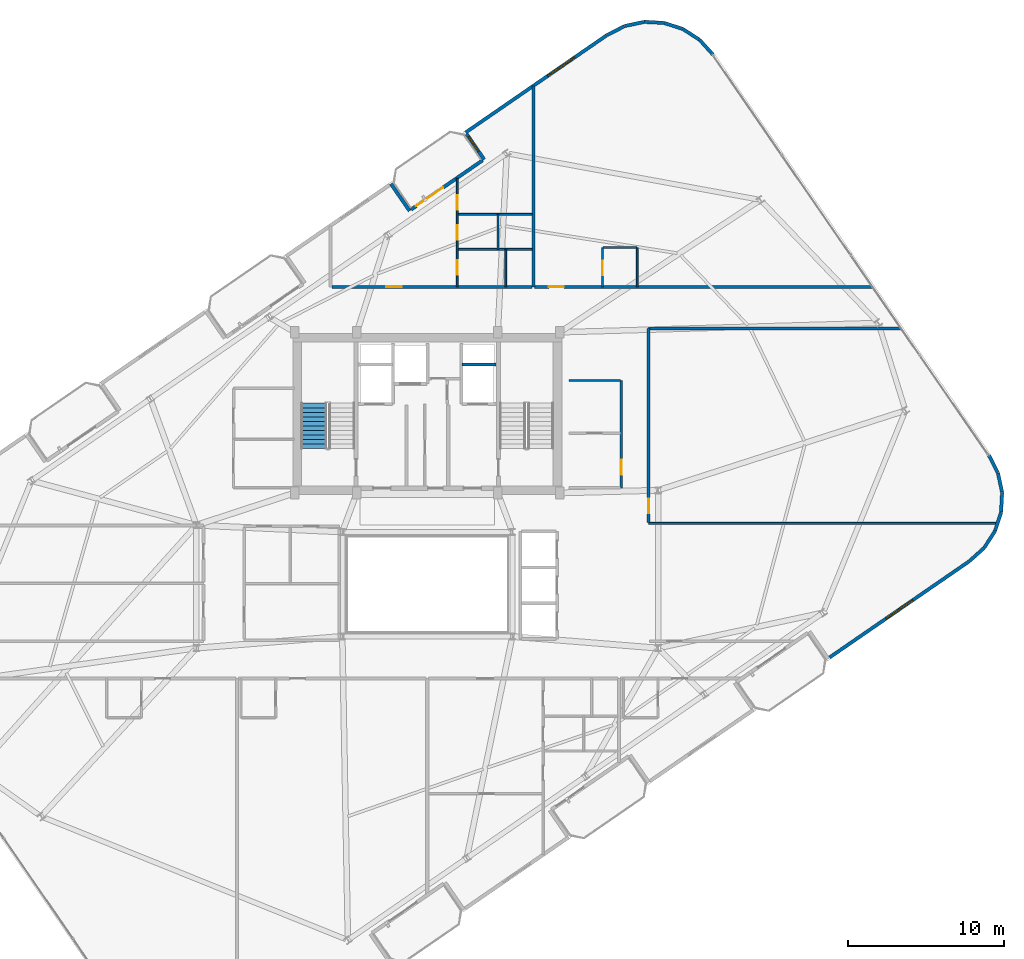
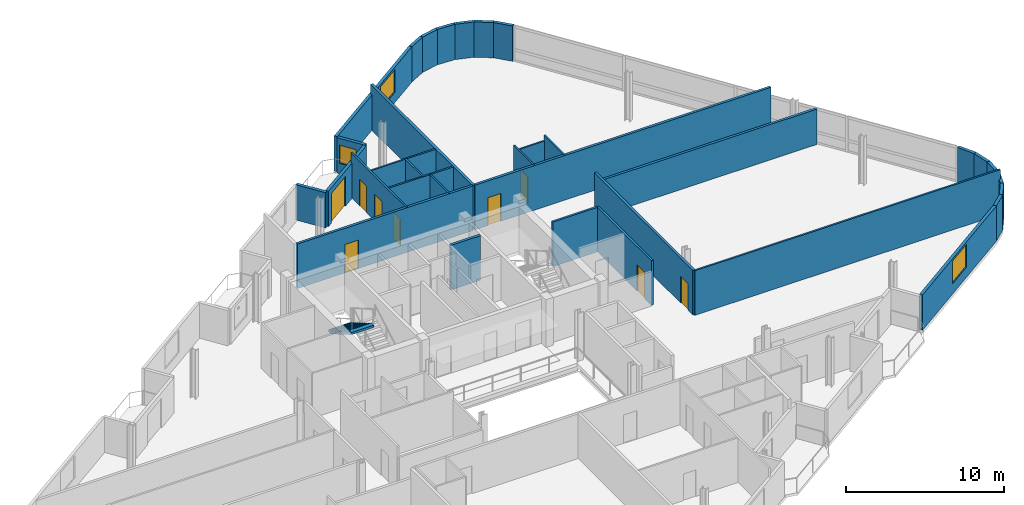
# One storey, part 17 of 21: 34 walls, 9 doors, 3 windows, 1 stair flight, 12 openings, 1 element without a shape of its own.
"""IFC4 building model written with IfcOpenShell, lengths in metres."""

from ifc_helpers import new_model, si_unit, direction, frame, frame_2d, origin, place, context, subcontext, project, spatial, polyline, rectangle, outline, extrude, material, layer, layer_set, type_object, element, fill, aggregate, save


model = new_model("IFC4")

# Units and contexts
model_context = context("Model", 3, precision=1e-05, world=origin(), true_north=direction((0.0, 1.0)))
body_context = subcontext(model_context, "Body", "Model", "MODEL_VIEW")
ifc_project = project(units=[si_unit("LENGTHUNIT", "METRE"), si_unit("AREAUNIT", "SQUARE_METRE"), si_unit("VOLUMEUNIT", "CUBIC_METRE"), si_unit("PLANEANGLEUNIT", "RADIAN"), si_unit("MASSUNIT", "GRAM", prefix="KILO")], contexts=[model_context])

# Site, building, storey
site_placement = place(None, origin())
site = spatial("IfcSite", under=ifc_project, at=site_placement, CompositionType="ELEMENT")
building_placement = place(site_placement, origin())
building = spatial("IfcBuilding", under=site, at=building_placement, Name="Varnelok Gate Tower", CompositionType="ELEMENT")
storey_placement = place(building_placement, frame((0.0, 0.0, 269.300048828125)))
storey = spatial("IfcBuildingStorey", under=building, at=storey_placement, Name="L69", CompositionType="ELEMENT", Elevation=269.300048828125)

# Wall, opening, door
ifc_material_1 = material(Name="Concrete C45/55", Category="concrete")
ifc_layer_1 = layer(ifc_material_1, 0.219970703125)
ifc_layer_set_1 = layer_set([ifc_layer_1], Name="Concrete C45/55")
wall_type_1 = type_object("IfcWallType", Name="EW-BALC-220", PredefinedType="SOLIDWALL", material=ifc_layer_set_1)
wall_1_placement = place(storey_placement, frame((38.15625, 46.91162109375, 0.0), z_axis=(0.0, 0.0, 1.0), x_axis=(0.823527178548, 0.567276816195, 0.0)))
wall_1 = element("IfcWall", 1, at=wall_1_placement, inside=storey, type_object=wall_type_1, Name="L69 North Terrace Envelope Wall 6", PredefinedType="SOLIDWALL", context=body_context, shape_type="SweptSolid", body=[
    extrude(rectangle(XDim=5.56689453125, YDim=0.219970703125, at=frame_2d((2.783447265625, 0.0))), origin(), (0.0, 0.0, 1.0), 2.72998046875),
])
opening_1_placement = place(wall_1_placement, frame((0.39990234375, 0.0, 0.0)))
opening_1 = element("IfcOpeningElement", 2, at=opening_1_placement, cuts=wall_1, Name="Opening BD-2", PredefinedType="OPENING", context=body_context, shape_type="SweptSolid", body=[
    extrude(rectangle(XDim=2.10009765625, YDim=2.300048828125, at=frame_2d((1.050048828125, 1.14990234375))), frame((0.0, 0.119873046875, 0.0), z_axis=(0.0, -1.0, 0.0), x_axis=(1.0, 0.0, 0.0)), (0.0, 0.0, 1.0), 0.239990234375),
])
ifc_material_2 = material(Name="Anodized Aluminum Alloy 6063-T6", Category="aluminium")
door_type_1 = type_object("IfcDoorType", Name="DR-EXT-SLID2100", OperationType="SLIDING_TO_LEFT", PredefinedType="DOOR", material=ifc_material_2)
door_1_placement = place(opening_1_placement, origin())
door_1 = element("IfcDoor", 3, at=door_1_placement, inside=storey, type_object=door_type_1, Name="L69 North Balcony Glazed Door 6", OperationType="SLIDING_TO_LEFT", OverallHeight=2.300048828125, OverallWidth=2.10009765625, PredefinedType="DOOR", context=body_context, shape_type="SweptSolid", body=[
    extrude(rectangle(XDim=2.10009765625, YDim=2.300048828125, at=frame_2d((1.050048828125, 1.14990234375))), frame((0.0, 0.02490234375, 0.0), z_axis=(0.0, -1.0, 0.0), x_axis=(1.0, 0.0, 0.0)), (0.0, 0.0, 1.0), 0.050048828125),
])
fill(opening_1, door_1)

# Wall, opening, window
wall_2_placement = place(storey_placement, frame((64.9921875, 18.197998046875, 0.0), z_axis=(0.0, 0.0, 1.0), x_axis=(0.823538117322, 0.56726093583, 0.0)))
wall_2 = element("IfcWall", 4, at=wall_2_placement, inside=storey, type_object=wall_type_1, Name="L69 Perimeter Facade Closure Wall 16", PredefinedType="SOLIDWALL", context=body_context, shape_type="SweptSolid", body=[
    extrude(rectangle(XDim=10.880126953125, YDim=0.219970703125, at=frame_2d((5.43994140625, 0.0))), origin(), (0.0, 0.0, 1.0), 2.72998046875),
])
opening_2_placement = place(wall_2_placement, frame((4.39013671875, 0.0, 0.800048828125)))
opening_2 = element("IfcOpeningElement", 5, at=opening_2_placement, cuts=wall_2, Name="Opening WN4", PredefinedType="OPENING", context=body_context, shape_type="SweptSolid", body=[
    extrude(rectangle(XDim=2.10009765625, YDim=1.75, at=frame_2d((1.050048828125, 0.875))), frame((0.0, 0.119873046875, 0.0), z_axis=(0.0, -1.0, 0.0), x_axis=(1.0, 0.0, 0.0)), (0.0, 0.0, 1.0), 0.239990234375),
])
ifc_material_3 = material(Name="Low-E Laminated Double Glazing IGU", Category="glass")
window_type_1 = type_object("IfcWindowType", Name="WN-SUI-2100", PartitioningType="SINGLE_PANEL", PredefinedType="WINDOW", material=ifc_material_3)
window_1_placement = place(opening_2_placement, origin())
window_1 = element("IfcWindow", 6, at=window_1_placement, inside=storey, type_object=window_type_1, Name="L69 Perimeter Vision Window 16", OverallHeight=1.75, OverallWidth=2.10009765625, PartitioningType="SINGLE_PANEL", PredefinedType="WINDOW", context=body_context, shape_type="SweptSolid", body=[
    extrude(rectangle(XDim=2.10009765625, YDim=1.75, at=frame_2d((1.050048828125, 0.875))), frame((0.0, 0.030029296875, 0.0), z_axis=(0.0, -1.0, 0.0), x_axis=(1.0, 0.0, 0.0)), (0.0, 0.0, 1.0), 0.06005859375),
])
fill(opening_2, window_1)

# Walls
wall_3_placement = place(storey_placement, frame((73.970947265625, 24.38671875, 0.0), z_axis=(0.0, 0.0, 1.0), x_axis=(0.742501517089, 0.669844382764, 0.0)))
element("IfcWall", 7, at=wall_3_placement, inside=storey, type_object=wall_type_1, Name="L69 Perimeter Facade Closure Wall 17", PredefinedType="SOLIDWALL", context=body_context, shape_type="SweptSolid", body=[
    extrude(rectangle(XDim=1.256591796875, YDim=0.219970703125, at=frame_2d((0.62841796875, 0.0))), origin(), (0.0, 0.0, 1.0), 2.72998046875),
])
wall_4_placement = place(storey_placement, frame((74.91748046875, 25.24951171875, 0.0), z_axis=(0.0, 0.0, 1.0), x_axis=(0.543778157277, 0.839229000731, 0.0)))
element("IfcWall", 8, at=wall_4_placement, inside=storey, type_object=wall_type_1, Name="L69 Perimeter Facade Closure Wall 18", PredefinedType="SOLIDWALL", context=body_context, shape_type="SweptSolid", body=[
    extrude(rectangle(XDim=1.24853515625, YDim=0.219970703125, at=frame_2d((0.624267578125, 0.0))), origin(), (0.0, 0.0, 1.0), 2.72998046875),
])
for number, where, z_axis, x_axis, name in (
    (9, (75.604248046875, 26.321044921875, 0.0), (0.0, 0.0, 1.0), (0.307945220076, 0.951404089455, 0.0), "L69 Perimeter Facade Closure Wall 19"),
    (10, (75.989990234375, 27.533935546875, 0.0), (0.0, 0.0, 1.0), (0.05141975041, 0.998677129641, 0.0), "L69 Perimeter Facade Closure Wall 20"),
    (11, (76.048828125, 28.805419921875, 0.0), (0.0, 0.0, 1.0), (-0.208808017511, 0.977956651301, 0.0), "L69 Perimeter Facade Closure Wall 21"),
    (12, (75.776611328125, 30.048828125, 0.0), (0.0, 0.0, 1.0), (-0.454938817534, 0.890522696118, 0.0), "L69 Perimeter Facade Closure Wall 22"),
):
    element("IfcWall", number, at=place(storey_placement, frame(where, z_axis=z_axis, x_axis=x_axis)), inside=storey, type_object=wall_type_1, Name=name, PredefinedType="SOLIDWALL", context=body_context, shape_type="SweptSolid", body=[
        extrude(rectangle(XDim=1.248779296875, YDim=0.219970703125, at=frame_2d((0.62451171875, 0.0))), origin(), (0.0, 0.0, 1.0), 2.72998046875),
    ])
wall_5_placement = place(storey_placement, frame((57.509765625, 56.85498046875, 0.0), z_axis=(0.0, 0.0, 1.0), x_axis=(-0.669853727156, 0.742493086982, 0.0)))
element("IfcWall", 13, at=wall_5_placement, inside=storey, type_object=wall_type_1, Name="L69 Perimeter Facade Closure Wall 23", PredefinedType="SOLIDWALL", context=body_context, shape_type="SweptSolid", body=[
    extrude(rectangle(XDim=1.27392578125, YDim=0.219970703125, at=frame_2d((0.636962890625, 0.0))), origin(), (0.0, 0.0, 1.0), 2.72998046875),
])
wall_6_placement = place(storey_placement, frame((56.635498046875, 57.814208984375, 0.0), z_axis=(0.0, 0.0, 1.0), x_axis=(-0.839229000731, 0.543778157277, 0.0)))
element("IfcWall", 14, at=wall_6_placement, inside=storey, type_object=wall_type_1, Name="L69 Perimeter Facade Closure Wall 24", PredefinedType="SOLIDWALL", context=body_context, shape_type="SweptSolid", body=[
    extrude(rectangle(XDim=1.24853515625, YDim=0.219970703125, at=frame_2d((0.624267578125, 0.0))), origin(), (0.0, 0.0, 1.0), 2.72998046875),
])
for number, where, z_axis, x_axis, name in (
    (15, (55.56396484375, 58.5009765625, 0.0), (0.0, 0.0, 1.0), (-0.951404089455, 0.307945220076, 0.0), "L69 Perimeter Facade Closure Wall 25"),
    (16, (54.35107421875, 58.88671875, 0.0), (0.0, 0.0, 1.0), (-0.998687150602, 0.051224752047, 0.0), "L69 Perimeter Facade Closure Wall 26"),
    (17, (53.07958984375, 58.945556640625, 0.0), (0.0, 0.0, 1.0), (-0.977956651301, -0.208808017511, 0.0), "L69 Perimeter Facade Closure Wall 27"),
):
    element("IfcWall", number, at=place(storey_placement, frame(where, z_axis=z_axis, x_axis=x_axis)), inside=storey, type_object=wall_type_1, Name=name, PredefinedType="SOLIDWALL", context=body_context, shape_type="SweptSolid", body=[
        extrude(rectangle(XDim=1.248779296875, YDim=0.219970703125, at=frame_2d((0.62451171875, 0.0))), origin(), (0.0, 0.0, 1.0), 2.72998046875),
    ])
wall_7_placement = place(storey_placement, frame((51.836181640625, 58.67333984375, 0.0), z_axis=(0.0, 0.0, 1.0), x_axis=(-0.890586847538, -0.454813222095, 0.0)))
element("IfcWall", 18, at=wall_7_placement, inside=storey, type_object=wall_type_1, Name="L69 Perimeter Facade Closure Wall 28", PredefinedType="SOLIDWALL", context=body_context, shape_type="SweptSolid", body=[
    extrude(rectangle(XDim=1.256591796875, YDim=0.219970703125, at=frame_2d((0.62841796875, 0.0))), origin(), (0.0, 0.0, 1.0), 2.72998046875),
])

# Wall, opening, window
wall_8_placement = place(storey_placement, frame((50.696533203125, 58.08740234375, 0.0), z_axis=(0.0, 0.0, 1.0), x_axis=(-0.823539455464, -0.567258993137, 0.0)))
wall_8 = element("IfcWall", 19, at=wall_8_placement, inside=storey, type_object=wall_type_1, Name="L69 Perimeter Facade Closure Wall 29", PredefinedType="SOLIDWALL", context=body_context, shape_type="SweptSolid", body=[
    extrude(rectangle(XDim=10.97998046875, YDim=0.219970703125, at=frame_2d((5.489990234375, 0.0))), origin(), (0.0, 0.0, 1.0), 2.72998046875),
])
opening_3_placement = place(wall_8_placement, frame((2.486328125, 0.0, 0.800048828125)))
opening_3 = element("IfcOpeningElement", 20, at=opening_3_placement, cuts=wall_8, Name="Opening WN4", PredefinedType="OPENING", context=body_context, shape_type="SweptSolid", body=[
    extrude(rectangle(XDim=2.10009765625, YDim=1.75, at=frame_2d((1.050048828125, 0.875))), frame((0.0, 0.119873046875, 0.0), z_axis=(0.0, -1.0, 0.0), x_axis=(1.0, 0.0, 0.0)), (0.0, 0.0, 1.0), 0.239990234375),
])
window_2_placement = place(opening_3_placement, origin())
window_2 = element("IfcWindow", 21, at=window_2_placement, inside=storey, type_object=window_type_1, Name="L69 Perimeter Vision Window 29", OverallHeight=1.75, OverallWidth=2.10009765625, PartitioningType="SINGLE_PANEL", PredefinedType="WINDOW", context=body_context, shape_type="SweptSolid", body=[
    extrude(rectangle(XDim=2.10009765625, YDim=1.75, at=frame_2d((1.050048828125, 0.875))), frame((0.0, 0.030029296875, 0.0), z_axis=(0.0, -1.0, 0.0), x_axis=(1.0, 0.0, 0.0)), (0.0, 0.0, 1.0), 0.06005859375),
])
fill(opening_3, window_2)

wall_9_placement = place(storey_placement, frame((41.724853515625, 51.755859375, 0.0), z_axis=(0.0, 0.0, 1.0), x_axis=(0.567273565974, -0.823529417415, 0.0)))
wall_9 = element("IfcWall", 22, at=wall_9_placement, inside=storey, type_object=wall_type_1, Name="L69 Perimeter Facade Closure Wall 30", PredefinedType="SOLIDWALL", context=body_context, shape_type="SweptSolid", body=[
    extrude(rectangle(XDim=1.97509765625, YDim=0.219970703125, at=frame_2d((0.987548828125, 0.0))), origin(), (0.0, 0.0, 1.0), 2.72998046875),
])
opening_4_placement = place(wall_9_placement, frame((0.199951171875, 0.0, 0.800048828125)))
opening_4 = element("IfcOpeningElement", 23, at=opening_4_placement, cuts=wall_9, Name="Opening WN8", PredefinedType="OPENING", context=body_context, shape_type="SweptSolid", body=[
    extrude(rectangle(XDim=1.14990234375, YDim=1.39990234375, at=frame_2d((0.574951171875, 0.699951171875))), frame((0.0, 0.119873046875, 0.0), z_axis=(0.0, -1.0, 0.0), x_axis=(1.0, 0.0, 0.0)), (0.0, 0.0, 1.0), 0.239990234375),
])
window_type_2 = type_object("IfcWindowType", Name="WN-BED-1150", PartitioningType="SINGLE_PANEL", PredefinedType="WINDOW", material=ifc_material_3)
window_3_placement = place(opening_4_placement, origin())
window_3 = element("IfcWindow", 24, at=window_3_placement, inside=storey, type_object=window_type_2, Name="L69 Bedroom Vision Window 49", OverallHeight=1.39990234375, OverallWidth=1.14990234375, PartitioningType="SINGLE_PANEL", PredefinedType="WINDOW", context=body_context, shape_type="SweptSolid", body=[
    extrude(rectangle(XDim=1.14990234375, YDim=1.39990234375, at=frame_2d((0.574951171875, 0.699951171875))), frame((0.0, 0.030029296875, 0.0), z_axis=(0.0, -1.0, 0.0), x_axis=(1.0, 0.0, 0.0)), (0.0, 0.0, 1.0), 0.06005859375),
])
fill(opening_4, window_3)

# Wall
wall_10_placement = place(storey_placement, frame((38.06298828125, 46.835205078125, 0.0), z_axis=(0.0, 0.0, 1.0), x_axis=(-0.567219383419, 0.823566737474, 0.0)))
element("IfcWall", 25, at=wall_10_placement, inside=storey, type_object=wall_type_1, Name="L69 Perimeter Facade Closure Wall 31", PredefinedType="SOLIDWALL", context=body_context, shape_type="SweptSolid", body=[
    extrude(rectangle(XDim=2.10009765625, YDim=0.219970703125, at=frame_2d((1.050048828125, 0.0))), origin(), (0.0, 0.0, 1.0), 2.72998046875),
])

# Wall, opening, door
ifc_material_4 = material(Name="Gypsum Plasterboard Acoustic Partition", Category="gypsum")
ifc_layer_2 = layer(ifc_material_4, 0.179931640625)
ifc_layer_set_2 = layer_set([ifc_layer_2], Name="Gypsum Plasterboard Acoustic Partition")
wall_type_2 = type_object("IfcWallType", Name="PW-CORR-180", PredefinedType="PARTITIONING", material=ifc_layer_set_2)
wall_11_placement = place(storey_placement, frame((33.080078125, 41.9599609375, 0.0), z_axis=(0.0, 0.0, 1.0), x_axis=(1.0, 0.0, 0.0)))
wall_11 = element("IfcWall", 26, at=wall_11_placement, inside=storey, type_object=wall_type_2, Name="Interior Partition", PredefinedType="PARTITIONING", context=body_context, shape_type="SweptSolid", body=[
    extrude(rectangle(XDim=12.83984375, YDim=0.179931640625, at=frame_2d((6.419921875, 0.0))), origin(), (0.0, 0.0, 1.0), 3.449951171875),
])
opening_5_placement = place(wall_11_placement, frame((3.485107421875, 0.0, 0.0)))
opening_5 = element("IfcOpeningElement", 27, at=opening_5_placement, cuts=wall_11, Name="Opening D-AP", PredefinedType="OPENING", context=body_context, shape_type="SweptSolid", body=[
    extrude(rectangle(XDim=1.0, YDim=2.199951171875, at=frame_2d((0.5, 1.10009765625))), frame((0.0, 0.099853515625, 0.0), z_axis=(0.0, -1.0, 0.0), x_axis=(1.0, 0.0, 0.0)), (0.0, 0.0, 1.0), 0.199951171875),
])
ifc_material_5 = material(Name="Engineered Hardwood Timber", Category="wood")
door_type_2 = type_object("IfcDoorType", Name="DR-APT-1000", OperationType="NOTDEFINED", PredefinedType="DOOR", material=ifc_material_5)
door_2_placement = place(opening_5_placement, origin())
door_2 = element("IfcDoor", 28, at=door_2_placement, inside=storey, type_object=door_type_2, Name="L69 North Apartment 6 Entrance Door", OperationType="SINGLE_SWING_RIGHT", OverallHeight=2.199951171875, OverallWidth=1.0, PredefinedType="DOOR", context=body_context, shape_type="SweptSolid", body=[
    extrude(rectangle(XDim=1.0, YDim=2.199951171875, at=frame_2d((0.5, 1.10009765625))), frame((0.0, 0.02490234375, 0.0), z_axis=(0.0, -1.0, 0.0), x_axis=(1.0, 0.0, 0.0)), (0.0, 0.0, 1.0), 0.050048828125),
])
fill(opening_5, door_2)

wall_12_placement = place(storey_placement, frame((46.080078125, 41.9599609375, 0.0), z_axis=(0.0, 0.0, 1.0), x_axis=(1.0, 0.0, 0.0)))
wall_12 = element("IfcWall", 29, at=wall_12_placement, inside=storey, type_object=wall_type_2, Name="Interior Partition", PredefinedType="PARTITIONING", context=body_context, shape_type="SweptSolid", body=[
    extrude(rectangle(XDim=21.626708984375, YDim=0.179931640625, at=frame_2d((10.8134765625, 0.0))), origin(), (0.0, 0.0, 1.0), 3.449951171875),
])
opening_6_placement = place(wall_12_placement, frame((0.921142578125, 0.0, 0.0)))
opening_6 = element("IfcOpeningElement", 30, at=opening_6_placement, cuts=wall_12, Name="Opening D-HT", PredefinedType="OPENING", context=body_context, shape_type="SweptSolid", body=[
    extrude(rectangle(XDim=0.949951171875, YDim=2.14990234375, at=frame_2d((0.47509765625, 1.074951171875))), frame((0.0, 0.099853515625, 0.0), z_axis=(0.0, -1.0, 0.0), x_axis=(1.0, 0.0, 0.0)), (0.0, 0.0, 1.0), 0.199951171875),
])
door_type_3 = type_object("IfcDoorType", Name="DR-HTL-950", OperationType="NOTDEFINED", PredefinedType="DOOR", material=ifc_material_5)
door_3_placement = place(opening_6_placement, origin())
door_3 = element("IfcDoor", 31, at=door_3_placement, inside=storey, type_object=door_type_3, Name="L69 Guest Room 07 Entrance Door", OperationType="SINGLE_SWING_RIGHT", OverallHeight=2.14990234375, OverallWidth=0.949951171875, PredefinedType="DOOR", context=body_context, shape_type="SweptSolid", body=[
    extrude(rectangle(XDim=0.949951171875, YDim=2.14990234375, at=frame_2d((0.47509765625, 1.074951171875))), frame((0.0, 0.02490234375, 0.0), z_axis=(0.0, -1.0, 0.0), x_axis=(1.0, 0.0, 0.0)), (0.0, 0.0, 1.0), 0.050048828125),
])
fill(opening_6, door_3)

wall_13_placement = place(storey_placement, frame((53.389892578125, 26.840087890625, 0.0), z_axis=(0.0, 0.0, 1.0), x_axis=(0.0, 1.0, 0.0)))
wall_13 = element("IfcWall", 32, at=wall_13_placement, inside=storey, type_object=wall_type_2, Name="Interior Partition", PredefinedType="PARTITIONING", context=body_context, shape_type="SweptSolid", body=[
    extrude(rectangle(XDim=12.4599609375, YDim=0.179931640625, at=frame_2d((6.22998046875, 0.0))), origin(), (0.0, 0.0, 1.0), 3.449951171875),
])
opening_7_placement = place(wall_13_placement, frame((0.6181640625, 0.0, 0.0)))
opening_7 = element("IfcOpeningElement", 33, at=opening_7_placement, cuts=wall_13, Name="Opening D-I3", PredefinedType="OPENING", context=body_context, shape_type="SweptSolid", body=[
    extrude(rectangle(XDim=0.919921875, YDim=2.050048828125, at=frame_2d((0.4599609375, 1.02490234375))), frame((0.0, 0.099853515625, 0.0), z_axis=(0.0, -1.0, 0.0), x_axis=(1.0, 0.0, 0.0)), (0.0, 0.0, 1.0), 0.199951171875),
])
door_type_4 = type_object("IfcDoorType", Name="DR-INT-920", OperationType="NOTDEFINED", PredefinedType="DOOR", material=ifc_material_5)
door_4_placement = place(opening_7_placement, origin())
door_4 = element("IfcDoor", 34, at=door_4_placement, inside=storey, type_object=door_type_4, Name="L69 East Playroom Door", OperationType="SINGLE_SWING_LEFT", OverallHeight=2.050048828125, OverallWidth=0.919921875, PredefinedType="DOOR", context=body_context, shape_type="SweptSolid", body=[
    extrude(rectangle(XDim=0.919921875, YDim=2.050048828125, at=frame_2d((0.4599609375, 1.02490234375))), frame((0.0, 0.02490234375, 0.0), z_axis=(0.0, -1.0, 0.0), x_axis=(1.0, 0.0, 0.0)), (0.0, 0.0, 1.0), 0.050048828125),
])
fill(opening_7, door_4)

# Walls
wall_14_placement = place(storey_placement, frame((53.389892578125, 39.300048828125, 0.0), z_axis=(0.0, 0.0, 1.0), x_axis=(1.0, 0.0, 0.0)))
element("IfcWall", 35, at=wall_14_placement, inside=storey, type_object=wall_type_2, Name="Interior Partition", PredefinedType="PARTITIONING", context=body_context, shape_type="SweptSolid", body=[
    extrude(rectangle(XDim=16.149169921875, YDim=0.179931640625, at=frame_2d((8.07470703125, 0.0))), origin(), (0.0, 0.0, 1.0), 2.739013671875),
])
ifc_layer_3 = layer(ifc_material_4, 0.114990234375)
ifc_layer_set_3 = layer_set([ifc_layer_3], Name="Gypsum Plasterboard Acoustic Partition")
wall_type_3 = type_object("IfcWallType", Name="PW-ENS-125", PredefinedType="PARTITIONING", material=ifc_layer_set_3)
wall_15_placement = place(storey_placement, frame((41.18994140625, 46.610107421875, 0.0), z_axis=(0.0, 0.0, 1.0), x_axis=(1.0, 0.0, 0.0)))
element("IfcWall", 36, at=wall_15_placement, inside=storey, type_object=wall_type_3, Name="Interior Partition", PredefinedType="PARTITIONING", context=body_context, shape_type="SweptSolid", body=[
    extrude(rectangle(XDim=4.72998046875, YDim=0.114990234375, at=frame_2d((2.364990234375, 0.0))), origin(), (0.0, 0.0, 1.0), 3.449951171875),
])
wall_16_placement = place(storey_placement, frame((43.72998046875, 44.3701171875, 0.0), z_axis=(0.0, 0.0, 1.0), x_axis=(0.0, 1.0, 0.0)))
element("IfcWall", 37, at=wall_16_placement, inside=storey, type_object=wall_type_3, Name="Interior Partition", PredefinedType="PARTITIONING", context=body_context, shape_type="SweptSolid", body=[
    extrude(rectangle(XDim=2.239990234375, YDim=0.114990234375, at=frame_2d((1.1201171875, 0.0))), origin(), (0.0, 0.0, 1.0), 3.449951171875),
])
wall_17_placement = place(storey_placement, frame((50.469970703125, 44.47998046875, 0.0), z_axis=(0.0, 0.0, 1.0), x_axis=(1.0, 0.0, 0.0)))
element("IfcWall", 38, at=wall_17_placement, inside=storey, type_object=wall_type_3, Name="Interior Partition", PredefinedType="PARTITIONING", context=body_context, shape_type="SweptSolid", body=[
    extrude(rectangle(XDim=2.150146484375, YDim=0.114990234375, at=frame_2d((1.0751953125, 0.0))), origin(), (0.0, 0.0, 1.0), 3.01806640625),
])

# Wall, opening, door
wall_18_placement = place(storey_placement, frame((50.429931640625, 41.9599609375, 0.0), z_axis=(0.0, 0.0, 1.0), x_axis=(0.0, 1.0, 0.0)))
wall_18 = element("IfcWall", 39, at=wall_18_placement, inside=storey, type_object=wall_type_3, Name="Interior Partition", PredefinedType="PARTITIONING", context=body_context, shape_type="SweptSolid", body=[
    extrude(rectangle(XDim=2.52001953125, YDim=0.114990234375, at=frame_2d((1.260009765625, 0.0))), origin(), (0.0, 0.0, 1.0), 3.449951171875),
])
opening_8_placement = place(wall_18_placement, frame((0.760009765625, 0.0, 0.0)))
opening_8 = element("IfcOpeningElement", 40, at=opening_8_placement, cuts=wall_18, Name="Opening D-WC", PredefinedType="OPENING", context=body_context, shape_type="SweptSolid", body=[
    extrude(rectangle(XDim=0.89990234375, YDim=2.050048828125, at=frame_2d((0.449951171875, 1.02490234375))), frame((0.0, 0.0673828125, 0.0), z_axis=(0.0, -1.0, 0.0), x_axis=(1.0, 0.0, 0.0)), (0.0, 0.0, 1.0), 0.135009765625),
])
door_type_5 = type_object("IfcDoorType", Name="DR-BATH-900", OperationType="NOTDEFINED", PredefinedType="DOOR", material=ifc_material_5)
door_5_placement = place(opening_8_placement, origin())
door_5 = element("IfcDoor", 41, at=door_5_placement, inside=storey, type_object=door_type_5, Name="L69 North En-Suite 07 Door", OperationType="SINGLE_SWING_LEFT", OverallHeight=2.050048828125, OverallWidth=0.89990234375, PredefinedType="DOOR", context=body_context, shape_type="SweptSolid", body=[
    extrude(rectangle(XDim=0.89990234375, YDim=2.050048828125, at=frame_2d((0.449951171875, 1.02490234375))), frame((0.0, 0.02490234375, 0.0), z_axis=(0.0, -1.0, 0.0), x_axis=(1.0, 0.0, 0.0)), (0.0, 0.0, 1.0), 0.050048828125),
])
fill(opening_8, door_5)

# Wall
wall_19_placement = place(storey_placement, frame((52.659912109375, 41.9599609375, 0.0), z_axis=(0.0, 0.0, 1.0), x_axis=(0.0, 1.0, 0.0)))
element("IfcWall", 42, at=wall_19_placement, inside=storey, type_object=wall_type_3, Name="Interior Partition", PredefinedType="PARTITIONING", context=body_context, shape_type="SweptSolid", body=[
    extrude(rectangle(XDim=2.52001953125, YDim=0.114990234375, at=frame_2d((1.260009765625, 0.0))), origin(), (0.0, 0.0, 1.0), 3.449951171875),
])

# Wall, openings, doors
ifc_layer_4 = layer(ifc_material_4, 0.125)
ifc_layer_set_4 = layer_set([ifc_layer_4], Name="Gypsum Plasterboard Acoustic Partition")
wall_type_4 = type_object("IfcWallType", Name="PW-PART-125", PredefinedType="PARTITIONING", material=ifc_layer_set_4)
wall_20_placement = place(storey_placement, frame((41.1201171875, 41.9599609375, 0.0), z_axis=(0.0, 0.0, 1.0), x_axis=(0.0, 1.0, 0.0)))
wall_20 = element("IfcWall", 43, at=wall_20_placement, inside=storey, type_object=wall_type_4, Name="Interior Partition", PredefinedType="PARTITIONING", context=body_context, shape_type="SweptSolid", body=[
    extrude(rectangle(XDim=6.956787109375, YDim=0.125, at=frame_2d((3.478515625, 0.0))), origin(), (0.0, 0.0, 1.0), 3.449951171875),
])
opening_9_placement = place(wall_20_placement, frame((0.785400390625, 0.0, 0.0)))
opening_9 = element("IfcOpeningElement", 44, at=opening_9_placement, cuts=wall_20, Name="Opening D-I3", PredefinedType="OPENING", context=body_context, shape_type="SweptSolid", body=[
    extrude(rectangle(XDim=0.919921875, YDim=2.050048828125, at=frame_2d((0.4599609375, 1.02490234375))), frame((0.0, 0.072509765625, 0.0), z_axis=(0.0, -1.0, 0.0), x_axis=(1.0, 0.0, 0.0)), (0.0, 0.0, 1.0), 0.14501953125),
])
opening_10_placement = place(wall_20_placement, frame((3.037353515625, 0.0, 0.0)))
opening_10 = element("IfcOpeningElement", 45, at=opening_10_placement, cuts=wall_20, Name="Opening D-WC", PredefinedType="OPENING", context=body_context, shape_type="SweptSolid", body=[
    extrude(rectangle(XDim=0.89990234375, YDim=2.050048828125, at=frame_2d((0.449951171875, 1.02490234375))), frame((0.0, 0.072509765625, 0.0), z_axis=(0.0, -1.0, 0.0), x_axis=(1.0, 0.0, 0.0)), (0.0, 0.0, 1.0), 0.14501953125),
])
opening_11_placement = place(wall_20_placement, frame((4.947509765625, 0.0, 0.0)))
opening_11 = element("IfcOpeningElement", 46, at=opening_11_placement, cuts=wall_20, Name="Opening D-I3", PredefinedType="OPENING", context=body_context, shape_type="SweptSolid", body=[
    extrude(rectangle(XDim=0.919921875, YDim=2.050048828125, at=frame_2d((0.4599609375, 1.02490234375))), frame((0.0, 0.072509765625, 0.0), z_axis=(0.0, -1.0, 0.0), x_axis=(1.0, 0.0, 0.0)), (0.0, 0.0, 1.0), 0.14501953125),
])
door_6_placement = place(opening_10_placement, origin())
door_6 = element("IfcDoor", 47, at=door_6_placement, inside=storey, type_object=door_type_5, Name="L69 North Apt 6 Bathroom Door", OperationType="SINGLE_SWING_RIGHT", OverallHeight=2.050048828125, OverallWidth=0.89990234375, PredefinedType="DOOR", context=body_context, shape_type="SweptSolid", body=[
    extrude(rectangle(XDim=0.89990234375, YDim=2.050048828125, at=frame_2d((0.449951171875, 1.02490234375))), frame((0.0, 0.02490234375, 0.0), z_axis=(0.0, -1.0, 0.0), x_axis=(1.0, 0.0, 0.0)), (0.0, 0.0, 1.0), 0.050048828125),
])
fill(opening_10, door_6)
door_7_placement = place(opening_9_placement, origin())
door_7 = element("IfcDoor", 48, at=door_7_placement, inside=storey, type_object=door_type_4, Name="L69 North Apt 6 Kitchen Door", OperationType="SINGLE_SWING_LEFT", OverallHeight=2.050048828125, OverallWidth=0.919921875, PredefinedType="DOOR", context=body_context, shape_type="SweptSolid", body=[
    extrude(rectangle(XDim=0.919921875, YDim=2.050048828125, at=frame_2d((0.4599609375, 1.02490234375))), frame((0.0, 0.02490234375, 0.0), z_axis=(0.0, -1.0, 0.0), x_axis=(1.0, 0.0, 0.0)), (0.0, 0.0, 1.0), 0.050048828125),
])
fill(opening_9, door_7)
door_8_placement = place(opening_11_placement, origin())
door_8 = element("IfcDoor", 49, at=door_8_placement, inside=storey, type_object=door_type_4, Name="L69 North Apt 6 Bedroom Door", OperationType="SINGLE_SWING_LEFT", OverallHeight=2.050048828125, OverallWidth=0.919921875, PredefinedType="DOOR", context=body_context, shape_type="SweptSolid", body=[
    extrude(rectangle(XDim=0.919921875, YDim=2.050048828125, at=frame_2d((0.4599609375, 1.02490234375))), frame((0.0, 0.02490234375, 0.0), z_axis=(0.0, -1.0, 0.0), x_axis=(1.0, 0.0, 0.0)), (0.0, 0.0, 1.0), 0.050048828125),
])
fill(opening_11, door_8)

# Walls
wall_21_placement = place(storey_placement, frame((41.18994140625, 44.3701171875, 0.0), z_axis=(0.0, 0.0, 1.0), x_axis=(1.0, 0.0, 0.0)))
element("IfcWall", 50, at=wall_21_placement, inside=storey, type_object=wall_type_4, Name="Interior Partition", PredefinedType="PARTITIONING", context=body_context, shape_type="SweptSolid", body=[
    extrude(rectangle(XDim=4.72998046875, YDim=0.125, at=frame_2d((2.364990234375, 0.0))), origin(), (0.0, 0.0, 1.0), 3.449951171875),
])
wall_22_placement = place(storey_placement, frame((44.22998046875, 41.9599609375, 0.0), z_axis=(0.0, 0.0, 1.0), x_axis=(0.0, 1.0, 0.0)))
element("IfcWall", 51, at=wall_22_placement, inside=storey, type_object=wall_type_4, Name="Interior Partition", PredefinedType="PARTITIONING", context=body_context, shape_type="SweptSolid", body=[
    extrude(rectangle(XDim=2.41015625, YDim=0.125, at=frame_2d((1.205078125, 0.0))), origin(), (0.0, 0.0, 1.0), 3.449951171875),
])
wall_23_placement = place(storey_placement, frame((53.389892578125, 26.800048828125, 0.0), z_axis=(0.0, 0.0, 1.0), x_axis=(1.0, 0.0, 0.0)))
element("IfcWall", 52, at=wall_23_placement, inside=storey, type_object=wall_type_4, Name="Interior Partition", PredefinedType="PARTITIONING", context=body_context, shape_type="SweptSolid", body=[
    extrude(rectangle(XDim=22.348388671875, YDim=0.125, at=frame_2d((11.17431640625, 0.0))), origin(), (0.0, 0.0, 1.0), 3.449951171875),
])
ifc_layer_5 = layer(ifc_material_4, 0.14990234375)
ifc_layer_set_5 = layer_set([ifc_layer_5], Name="Gypsum Plasterboard Acoustic Partition")
wall_type_5 = type_object("IfcWallType", Name="PW-PART-150", PredefinedType="PARTITIONING", material=ifc_layer_set_5)
wall_24_placement = place(storey_placement, frame((48.300048828125, 35.9599609375, 0.0), z_axis=(0.0, 0.0, 1.0), x_axis=(1.0, 0.0, 0.0)))
element("IfcWall", 53, at=wall_24_placement, inside=storey, type_object=wall_type_5, Name="Interior Partition", PredefinedType="PARTITIONING", context=body_context, shape_type="SweptSolid", body=[
    extrude(rectangle(XDim=3.280029296875, YDim=0.14990234375, at=frame_2d((1.64013671875, 0.0))), origin(), (0.0, 0.0, 1.0), 3.449951171875),
])

# Wall, opening, door
wall_25_placement = place(storey_placement, frame((51.639892578125, 29.080078125, 0.0), z_axis=(0.0, 0.0, 1.0), x_axis=(0.0, 1.0, 0.0)))
wall_25 = element("IfcWall", 54, at=wall_25_placement, inside=storey, type_object=wall_type_5, Name="Interior Partition", PredefinedType="PARTITIONING", context=body_context, shape_type="SweptSolid", body=[
    extrude(rectangle(XDim=6.8798828125, YDim=0.14990234375, at=frame_2d((3.43994140625, 0.0))), origin(), (0.0, 0.0, 1.0), 3.449951171875),
])
opening_12_placement = place(wall_25_placement, frame((0.85009765625, 0.0, 0.0)))
opening_12 = element("IfcOpeningElement", 55, at=opening_12_placement, cuts=wall_25, Name="Opening D-I2", PredefinedType="OPENING", context=body_context, shape_type="SweptSolid", body=[
    extrude(rectangle(XDim=0.949951171875, YDim=2.050048828125, at=frame_2d((0.47509765625, 1.02490234375))), frame((0.0, 0.0849609375, 0.0), z_axis=(0.0, -1.0, 0.0), x_axis=(1.0, 0.0, 0.0)), (0.0, 0.0, 1.0), 0.169921875),
])
door_type_6 = type_object("IfcDoorType", Name="DR-INT-950", OperationType="NOTDEFINED", PredefinedType="DOOR", material=ifc_material_5)
door_9_placement = place(opening_12_placement, origin())
door_9 = element("IfcDoor", 56, at=door_9_placement, inside=storey, type_object=door_type_6, Name="L69 Reclaimed Wine Storage Door", OperationType="SINGLE_SWING_RIGHT", OverallHeight=2.050048828125, OverallWidth=0.949951171875, PredefinedType="DOOR", context=body_context, shape_type="SweptSolid", body=[
    extrude(rectangle(XDim=0.949951171875, YDim=2.050048828125, at=frame_2d((0.47509765625, 1.02490234375))), frame((0.0, 0.02490234375, 0.0), z_axis=(0.0, -1.0, 0.0), x_axis=(1.0, 0.0, 0.0)), (0.0, 0.0, 1.0), 0.050048828125),
])
fill(opening_12, door_9)

# Walls
ifc_layer_6 = layer(ifc_material_4, 0.205078125)
ifc_layer_set_6 = layer_set([ifc_layer_6], Name="Gypsum Plasterboard Acoustic Partition")
wall_type_6 = type_object("IfcWallType", Name="PW-PARTY-200", PredefinedType="PARTITIONING", material=ifc_layer_set_6)
wall_26_placement = place(storey_placement, frame((46.0, 41.9599609375, 0.0), z_axis=(0.0, 0.0, 1.0), x_axis=(0.0, 1.0, 0.0)))
element("IfcWall", 57, at=wall_26_placement, inside=storey, type_object=wall_type_6, Name="L69 North Party Wall 2", PredefinedType="PARTITIONING", context=body_context, shape_type="SweptSolid", body=[
    extrude(rectangle(XDim=12.8681640625, YDim=0.205078125, at=frame_2d((6.43408203125, 0.0))), origin(), (0.0, 0.0, 1.0), 3.449951171875),
])
ifc_material_6 = material(Name="Concrete C35/45", Category="concrete")
ifc_layer_7 = layer(ifc_material_6, 0.199951171875)
ifc_layer_set_7 = layer_set([ifc_layer_7], Name="Concrete C35/45")
wall_type_7 = type_object("IfcWallType", Name="PW-SHAFT-200", PredefinedType="PARTITIONING", material=ifc_layer_set_7)
wall_27_placement = place(storey_placement, frame((41.419921875, 36.97998046875, 0.0), z_axis=(0.0, 0.0, 1.0), x_axis=(1.0, 0.0, 0.0)))
element("IfcWall", 58, at=wall_27_placement, inside=storey, type_object=wall_type_7, Name="L69 FF2 Shaft North Wall", PredefinedType="PARTITIONING", context=body_context, shape_type="SweptSolid", body=[
    extrude(rectangle(XDim=2.18017578125, YDim=0.199951171875, at=frame_2d((1.090087890625, 0.0))), origin(), (0.0, 0.0, 1.0), 3.449951171875),
])

# Stair, stair flight
ifc_material_7 = material(Name="Concrete C50/60", Category="concrete")
stair_type = type_object("IfcStairType", Name="STR-CORE-1650", PredefinedType="HALF_TURN_STAIR", material=ifc_material_7)
stair_placement = place(storey_placement, origin())
stair = element("IfcStair", 59, at=stair_placement, inside=storey, type_object=stair_type, Name="L69 Exit Stair ST-1", PredefinedType="HALF_TURN_STAIR")
stair_flight_type = type_object("IfcStairFlightType", Name="SFL-CORE-1650", PredefinedType="STRAIGHT", material=ifc_material_7)
stair_flight_placement = place(storey_placement, frame((31.925048828125, 34.5, 1.849853515625), z_axis=(0.0, 0.0, 1.0), x_axis=(0.0, -1.0, 0.0)))
stair_flight = element("IfcStairFlight", 60, at=stair_flight_placement, type_object=stair_flight_type, Name="ST-1 flight 2", NumberOfRisers=11, NumberOfTreads=10, PredefinedType="STRAIGHT", RiserHeight=0.168181818, TreadLength=0.29, context=body_context, shape_type="SweptSolid", body=[
    extrude(outline(polyline([(0.0, 0.0), (0.0, 0.168212890625), (0.2900390625, 0.168212890625), (0.2900390625, 0.33642578125), (0.580078125, 0.33642578125), (0.580078125, 0.504638671875), (0.8701171875, 0.504638671875), (0.8701171875, 0.672607421875), (1.159912109375, 0.672607421875), (1.159912109375, 0.8408203125), (1.449951171875, 0.8408203125), (1.449951171875, 1.009033203125), (1.739990234375, 1.009033203125), (1.739990234375, 1.17724609375), (2.030029296875, 1.17724609375), (2.030029296875, 1.345458984375), (2.320068359375, 1.345458984375), (2.320068359375, 1.513671875), (2.610107421875, 1.513671875), (2.610107421875, 1.681884765625), (2.89990234375, 1.681884765625), (2.89990234375, 1.85009765625), (2.89990234375, 1.508544921875), (0.298828125, 0.0), (0.0, 0.0)])), frame((0.0, 0.824951171875, 0.0), z_axis=(0.0, -1.0, 0.0), x_axis=(1.0, 0.0, 0.0)), (0.0, 0.0, 1.0), 1.64990234375),
])
aggregate(stair, [stair_flight])

save(model, "model.ifc")
